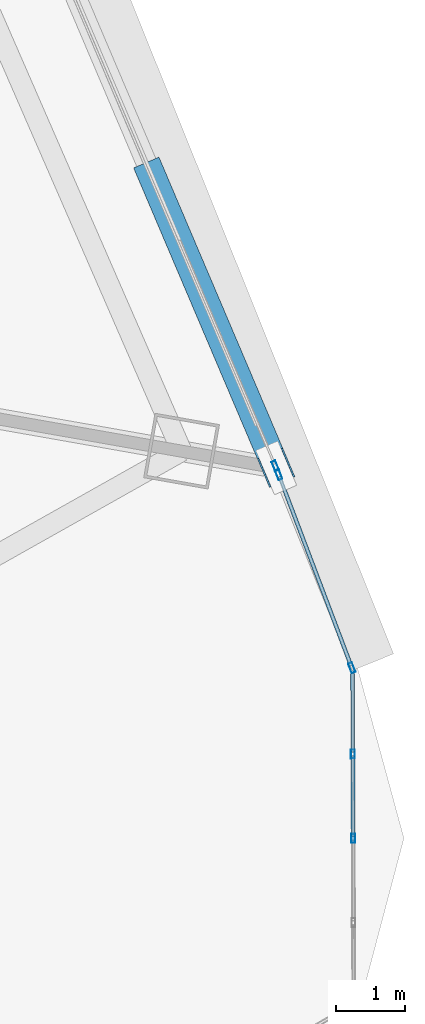
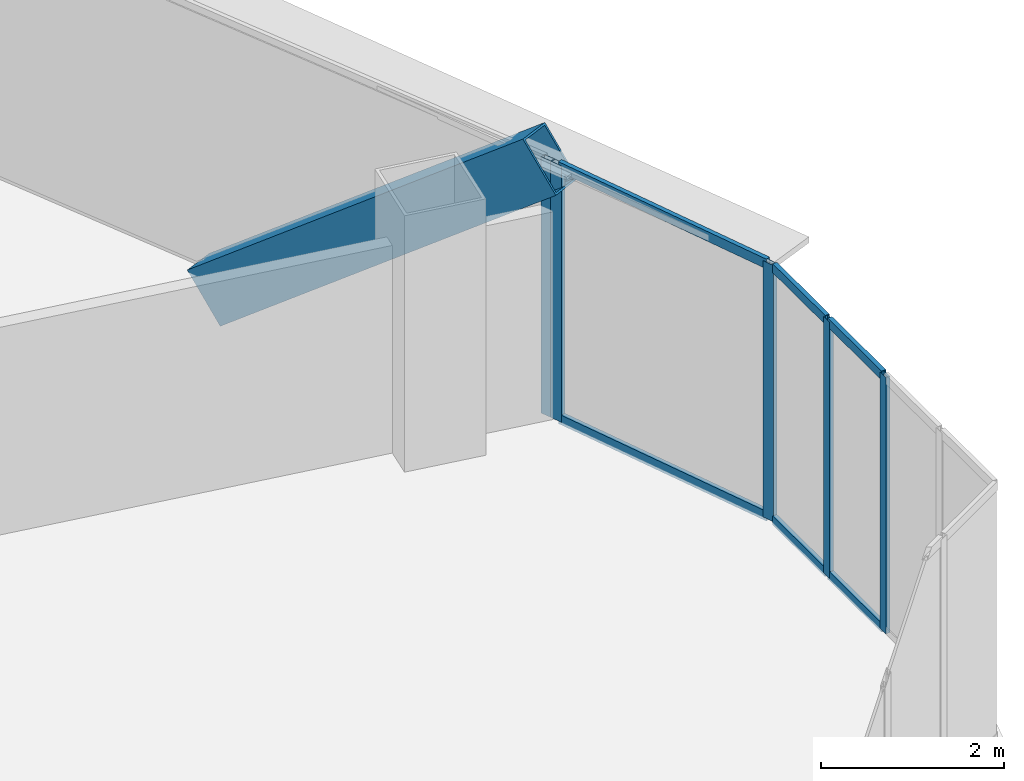
# One storey, part 26 of 41: 12 members, 3 elements without a shape of their own.
"""IFC4 building model written with IfcOpenShell, lengths in metres."""

from ifc_helpers import new_model, si_unit, direction, frame, origin, origin_2d, place, context, subcontext, project, spatial, hollow_rectangle, extrude, source, transform, mapped, material, layer, layer_set, material_profile, profile_set, type_object, element, aggregate, save


model = new_model("IFC4")

# Units and contexts
model_context = context("Model", 3, precision=1e-05, world=origin(), true_north=direction((0.0, 1.0)))
body_context = subcontext(model_context, "Body", "Model", "MODEL_VIEW")
ifc_project = project(units=[si_unit("LENGTHUNIT", "METRE"), si_unit("AREAUNIT", "SQUARE_METRE"), si_unit("VOLUMEUNIT", "CUBIC_METRE"), si_unit("PLANEANGLEUNIT", "RADIAN"), si_unit("MASSUNIT", "GRAM", prefix="KILO"), si_unit("THERMODYNAMICTEMPERATUREUNIT", "KELVIN"), si_unit("POWERUNIT", "WATT")], contexts=[model_context])

# Site, building, storey
site_placement = place(None, origin())
site = spatial("IfcSite", under=ifc_project, at=site_placement, CompositionType="ELEMENT")
building_placement = place(site_placement, origin())
building = spatial("IfcBuilding", under=site, at=building_placement, Name="Yunzhuo Pagoda Commons", CompositionType="ELEMENT")
storey_placement = place(building_placement, frame((0.0, 0.0, 155.590087890625)))
storey = spatial("IfcBuildingStorey", under=building, at=storey_placement, Name="L39", CompositionType="ELEMENT", Elevation=155.590087890625)

# Member
ifc_material_1 = material(Name="Structural steel Q355B", Category="steel")
ifc_material_profile_1 = material_profile(ifc_material_1, hollow_rectangle(XDim=0.39990234375, YDim=0.719970703125, WallThickness=0.02392578125, at=origin_2d()), Name="Structural steel Q355B")
ifc_profile_set_1 = profile_set([ifc_material_profile_1], Name="Structural steel Q355B")
member_type_1 = type_object("IfcMemberType", Name="M-DL2 Brace BOX 720x400x24", PredefinedType="BRACE", material=ifc_profile_set_1)
shared_shape_1 = source(origin(), body_context, "Body", "SweptSolid", [
    extrude(hollow_rectangle(XDim=0.39990234375, YDim=0.719970703125, WallThickness=0.02392578125, at=origin_2d()), origin(), (0.0, 0.0, 1.0), 5.883544921875),
])
member_1_placement = place(storey_placement, frame((84.5732421875, 31.15869140625, -0.260009765625), z_axis=(0.305407668733, -0.717998490772, 0.625463286795), x_axis=(0.920211701428, 0.391421032336, 0.0)))
element("IfcMember", 1, at=member_1_placement, inside=storey, type_object=member_type_1, Name="L39 facade diamond brace F2.1L", PredefinedType="BRACE", context=body_context, shape_type="MappedRepresentation", body=[
    mapped(shared_shape_1, transform((0.0, 0.0, 0.0), scale=1.0)),
])

# Curtain wall, member
ifc_material_2 = material(Name="Anodized aluminium 6063-T6", Category="aluminium")
ifc_layer_1 = layer(ifc_material_2, 0.14990234375)
ifc_layer_set_1 = layer_set([ifc_layer_1], Name="Anodized aluminium 6063-T6")
curtain_wall_type_1 = type_object("IfcCurtainWallType", Name="CW-MID Mid-Zone Ribbon Curtain Wall", PredefinedType="NOTDEFINED", material=ifc_layer_set_1)
curtain_wall_1_placement = place(storey_placement, origin())
curtain_wall_1 = element("IfcCurtainWall", 2, at=curtain_wall_1_placement, inside=storey, type_object=curtain_wall_type_1, Name="L39 curtain wall CW-L39-F2B2", PredefinedType="NOTDEFINED")
ifc_material_profile_2 = material_profile(ifc_material_2, hollow_rectangle(XDim=0.06005859375, YDim=0.14990234375, WallThickness=0.00390625, at=origin_2d()), Name="Anodized aluminium 6063-T6")
ifc_profile_set_2 = profile_set([ifc_material_profile_2], Name="Anodized aluminium 6063-T6")
member_type_2 = type_object("IfcMemberType", Name="CW-MID-M Mullion RHS 150x60x4", PredefinedType="MULLION", material=ifc_profile_set_2)
shared_shape_2 = source(origin(), body_context, "Body", "SweptSolid", [
    extrude(hollow_rectangle(XDim=0.06005859375, YDim=0.14990234375, WallThickness=0.00390625, at=origin_2d()), origin(), (0.0, 0.0, 1.0), 3.419921875),
])
member_2_placement = place(storey_placement, frame((86.3583984375, 26.9619140625, 0.0), z_axis=(0.0, 0.0, 1.0), x_axis=(-0.92021678471, -0.391409081572, 0.0)))
member_2 = element("IfcMember", 3, at=member_2_placement, type_object=member_type_2, Name="CW mullion 1", PredefinedType="MULLION", context=body_context, shape_type="MappedRepresentation", body=[
    mapped(shared_shape_2, transform((0.0, 0.0, 0.0), scale=1.0)),
])
aggregate(curtain_wall_1, [member_2])

# Curtain wall, members
curtain_wall_2_placement = place(storey_placement, origin())
curtain_wall_2 = element("IfcCurtainWall", 4, at=curtain_wall_2_placement, inside=storey, type_object=curtain_wall_type_1, Name="L39 curtain wall CW-L39-F2B1", PredefinedType="NOTDEFINED")
member_3_placement = place(storey_placement, frame((87.46826171875, 24.032958984375, 0.0), z_axis=(0.0, 0.0, 1.0), x_axis=(-0.935246751482, -0.35399648846, 0.0)))
member_3 = element("IfcMember", 5, at=member_3_placement, type_object=member_type_2, Name="CW mullion 1", PredefinedType="MULLION", context=body_context, shape_type="MappedRepresentation", body=[
    mapped(shared_shape_2, transform((0.0, 0.0, 0.0), scale=1.0)),
])
member_4_placement = place(storey_placement, frame((86.4072265625, 26.836181640625, 0.0), z_axis=(0.0, 0.0, 1.0), x_axis=(-0.935246751482, -0.35399648846, 0.0)))
member_4 = element("IfcMember", 6, at=member_4_placement, type_object=member_type_2, Name="CW mullion 2", PredefinedType="MULLION", context=body_context, shape_type="MappedRepresentation", body=[
    mapped(shared_shape_2, transform((0.0, 0.0, 0.0), scale=1.0)),
])

ifc_layer_2 = layer(ifc_material_2, 0.1298828125)
ifc_layer_set_2 = layer_set([ifc_layer_2], Name="Anodized aluminium 6063-T6")
curtain_wall_type_2 = type_object("IfcCurtainWallType", Name="CW-VTX Rounded Corner Curtain Wall", PredefinedType="NOTDEFINED", material=ifc_layer_set_2)
curtain_wall_3_placement = place(storey_placement, origin())
curtain_wall_3 = element("IfcCurtainWall", 7, at=curtain_wall_3_placement, inside=storey, type_object=curtain_wall_type_2, Name="L39 curtain wall CW-L39-VTX2S2", PredefinedType="NOTDEFINED")
ifc_material_profile_3 = material_profile(ifc_material_2, hollow_rectangle(XDim=0.054931640625, YDim=0.1298828125, WallThickness=0.00341796875, at=origin_2d()), Name="Anodized aluminium 6063-T6")
ifc_profile_set_3 = profile_set([ifc_material_profile_3], Name="Anodized aluminium 6063-T6")
member_type_3 = type_object("IfcMemberType", Name="CW-VTX-M Mullion RHS 130x55x3.5", PredefinedType="MULLION", material=ifc_profile_set_3)
shared_shape_3 = source(origin(), body_context, "Body", "SweptSolid", [
    extrude(hollow_rectangle(XDim=0.054931640625, YDim=0.1298828125, WallThickness=0.00341796875, at=origin_2d()), origin(), (0.0, 0.0, 1.0), 3.419921875),
])
member_5_placement = place(storey_placement, frame((87.48779296875, 21.55615234375, 0.0), z_axis=(0.0, 0.0, 1.0), x_axis=(-0.999993542566, -0.00359372042, 0.0)))
member_5 = element("IfcMember", 8, at=member_5_placement, type_object=member_type_3, Name="CW mullion 3", PredefinedType="MULLION", context=body_context, shape_type="MappedRepresentation", body=[
    mapped(shared_shape_3, transform((0.0, 0.0, 0.0), scale=1.0)),
])
member_6_placement = place(storey_placement, frame((87.4833984375, 22.780517578125, 0.0), z_axis=(0.0, 0.0, 1.0), x_axis=(-0.999993542566, -0.00359372042, 0.0)))
member_6 = element("IfcMember", 9, at=member_6_placement, type_object=member_type_3, Name="CW mullion 4", PredefinedType="MULLION", context=body_context, shape_type="MappedRepresentation", body=[
    mapped(shared_shape_3, transform((0.0, 0.0, 0.0), scale=1.0)),
])

# Member
ifc_material_profile_4 = material_profile(ifc_material_2, hollow_rectangle(XDim=0.054931640625, YDim=0.1298828125, WallThickness=0.00341796875, at=origin_2d()), Name="Anodized aluminium 6063-T6")
ifc_profile_set_4 = profile_set([ifc_material_profile_4], Name="Anodized aluminium 6063-T6")
member_type_4 = type_object("IfcMemberType", Name="CW-MID-T Transom RHS 130x55x3.5", PredefinedType="USERDEFINED", material=ifc_profile_set_4)
shared_shape_4 = source(origin(), body_context, "Body", "SweptSolid", [
    extrude(hollow_rectangle(XDim=0.054931640625, YDim=0.1298828125, WallThickness=0.00341796875, at=origin_2d()), origin(), (0.0, 0.0, 1.0), 2.9375),
])
member_7_placement = place(storey_placement, frame((87.457763671875, 24.06103515625, 0.02734375), z_axis=(-0.353972658674, 0.935255770852, 0.0), x_axis=(-0.935255770852, -0.353972658674, 0.0)))
member_7 = element("IfcMember", 10, at=member_7_placement, type_object=member_type_4, Name="CW transom 1.1", ObjectType="TRANSOM", PredefinedType="USERDEFINED", context=body_context, shape_type="MappedRepresentation", body=[
    mapped(shared_shape_4, transform((0.0, 0.0, 0.0), scale=1.0)),
])

member_8_placement = place(storey_placement, frame((87.457763671875, 24.06103515625, 3.392333984375), z_axis=(-0.353972658674, 0.935255770852, 0.0), x_axis=(-0.935255770852, -0.353972658674, 0.0)))
member_8 = element("IfcMember", 11, at=member_8_placement, type_object=member_type_4, Name="CW transom 1.2", ObjectType="TRANSOM", PredefinedType="USERDEFINED", context=body_context, shape_type="MappedRepresentation", body=[
    mapped(shared_shape_4, transform((0.0, 0.0, 0.0), scale=1.0)),
])

aggregate(curtain_wall_2, [member_3, member_4, member_7, member_8])

ifc_material_profile_5 = material_profile(ifc_material_2, hollow_rectangle(XDim=0.054931640625, YDim=0.1201171875, WallThickness=0.00341796875, at=origin_2d()), Name="Anodized aluminium 6063-T6")
ifc_profile_set_5 = profile_set([ifc_material_profile_5], Name="Anodized aluminium 6063-T6")
member_type_5 = type_object("IfcMemberType", Name="CW-VTX-T Transom RHS 120x55x3.5", PredefinedType="USERDEFINED", material=ifc_profile_set_5)
shared_shape_5 = source(origin(), body_context, "Body", "SweptSolid", [
    extrude(hollow_rectangle(XDim=0.054931640625, YDim=0.1201171875, WallThickness=0.00341796875, at=origin_2d()), origin(), (0.0, 0.0, 1.0), 1.141845703125),
])
member_9_placement = place(storey_placement, frame((87.4833984375, 22.807861328125, 0.02734375), z_axis=(-0.003634784627, 0.999993394149, 0.0), x_axis=(-0.999993394149, -0.003634784627, 0.0)))
member_9 = element("IfcMember", 12, at=member_9_placement, type_object=member_type_5, Name="CW transom 4.1", ObjectType="TRANSOM", PredefinedType="USERDEFINED", context=body_context, shape_type="MappedRepresentation", body=[
    mapped(shared_shape_5, transform((0.0, 0.0, 0.0), scale=1.0)),
])

member_10_placement = place(storey_placement, frame((87.4833984375, 22.807861328125, 3.392333984375), z_axis=(-0.003634784627, 0.999993394149, 0.0), x_axis=(-0.999993394149, -0.003634784627, 0.0)))
member_10 = element("IfcMember", 13, at=member_10_placement, type_object=member_type_5, Name="CW transom 4.2", ObjectType="TRANSOM", PredefinedType="USERDEFINED", context=body_context, shape_type="MappedRepresentation", body=[
    mapped(shared_shape_5, transform((0.0, 0.0, 0.0), scale=1.0)),
])

shared_shape_6 = source(origin(), body_context, "Body", "SweptSolid", [
    extrude(hollow_rectangle(XDim=0.054931640625, YDim=0.1201171875, WallThickness=0.00341796875, at=origin_2d()), origin(), (0.0, 0.0, 1.0), 1.16943359375),
])
member_11_placement = place(storey_placement, frame((87.48779296875, 21.58349609375, 0.02734375), z_axis=(-0.003757802278, 0.999992939436, 0.0), x_axis=(-0.999992939436, -0.003757802278, 0.0)))
member_11 = element("IfcMember", 14, at=member_11_placement, type_object=member_type_5, Name="CW transom 3.1", ObjectType="TRANSOM", PredefinedType="USERDEFINED", context=body_context, shape_type="MappedRepresentation", body=[
    mapped(shared_shape_6, transform((0.0, 0.0, 0.0), scale=1.0)),
])

member_12_placement = place(storey_placement, frame((87.48779296875, 21.58349609375, 3.392333984375), z_axis=(-0.003757802278, 0.999992939436, 0.0), x_axis=(-0.999992939436, -0.003757802278, 0.0)))
member_12 = element("IfcMember", 15, at=member_12_placement, type_object=member_type_5, Name="CW transom 3.2", ObjectType="TRANSOM", PredefinedType="USERDEFINED", context=body_context, shape_type="MappedRepresentation", body=[
    mapped(shared_shape_6, transform((0.0, 0.0, 0.0), scale=1.0)),
])

aggregate(curtain_wall_3, [member_5, member_6, member_11, member_12, member_9, member_10])

save(model, "model.ifc")
